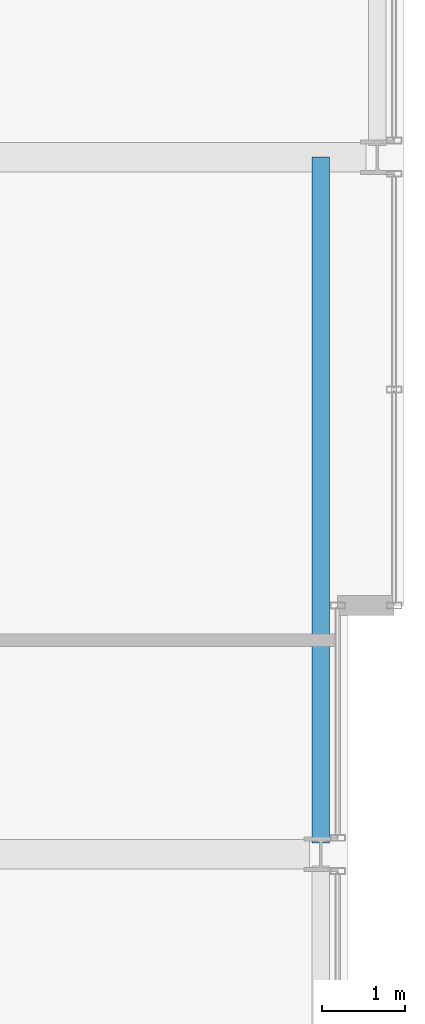
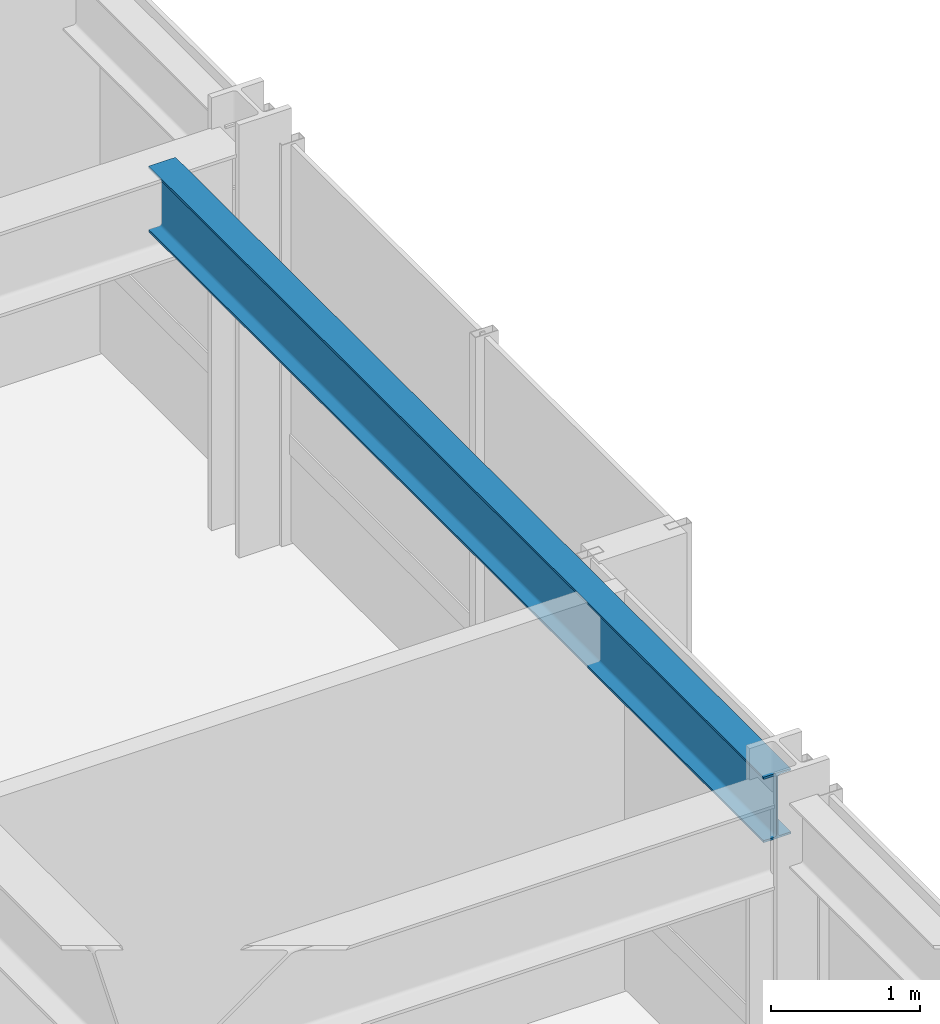
# One storey, part 16 of 33: 1 beam.
"""IFC4 building model written with IfcOpenShell, lengths in metres."""

from ifc_helpers import new_model, si_unit, direction, frame, origin, origin_2d, place, context, subcontext, project, spatial, i_section, extrude, material, material_profile, profile_set, type_object, element, save


model = new_model("IFC4")

# Units and contexts
model_context = context("Model", 3, precision=1e-05, world=origin(), true_north=direction((0.0, 1.0)))
body_context = subcontext(model_context, "Body", "Model", "MODEL_VIEW")
ifc_project = project(units=[si_unit("LENGTHUNIT", "METRE"), si_unit("AREAUNIT", "SQUARE_METRE"), si_unit("VOLUMEUNIT", "CUBIC_METRE"), si_unit("PLANEANGLEUNIT", "RADIAN"), si_unit("MASSUNIT", "GRAM", prefix="KILO")], contexts=[model_context])

# Site, building, storey
site_placement = place(None, origin())
site = spatial("IfcSite", under=ifc_project, at=site_placement, CompositionType="ELEMENT")
building_placement = place(site_placement, origin())
building = spatial("IfcBuilding", under=site, at=building_placement, Name="Drelvath Grand Hotel", CompositionType="ELEMENT")
storey_placement = place(building_placement, frame((0.0, 0.0, 171.699951171875)))
storey = spatial("IfcBuildingStorey", under=building, at=storey_placement, Name="L44", CompositionType="ELEMENT", Elevation=171.699951171875)

# Beam
ifc_material = material(Name="Steel ASTM A992 Gr 50", Category="steel")
ifc_material_profile = material_profile(ifc_material, i_section(OverallWidth=0.210205078125, OverallDepth=0.53662109375, WebThickness=0.010986328125, FlangeThickness=0.017333984375, FilletRadius=0.01806640625, at=origin_2d()), Name="W21X68")
ifc_profile_set = profile_set([ifc_material_profile], Name="Steel ASTM A992 Gr 50")
beam_type = type_object("IfcBeamType", Name="Perimeter Spandrel Beam W21X68", PredefinedType="SPANDREL", material=ifc_profile_set)
beam_placement = place(storey_placement, frame((21.199951171875, 27.139892578125, 3.021728515625), z_axis=(0.0, 1.0, 0.0), x_axis=(-1.0, 0.0, 0.0)))
element("IfcBeam", 1, at=beam_placement, inside=storey, type_object=beam_type, Name="L44 Spandrel East Mid N", PredefinedType="SPANDREL", context=body_context, shape_type="SweptSolid", body=[
    extrude(i_section(OverallWidth=0.210205078125, OverallDepth=0.53662109375, WebThickness=0.010986328125, FlangeThickness=0.017333984375, FilletRadius=0.01806640625, at=origin_2d()), origin(), (0.0, 0.0, 1.0), 8.260009765625),
])

save(model, "model.ifc")
